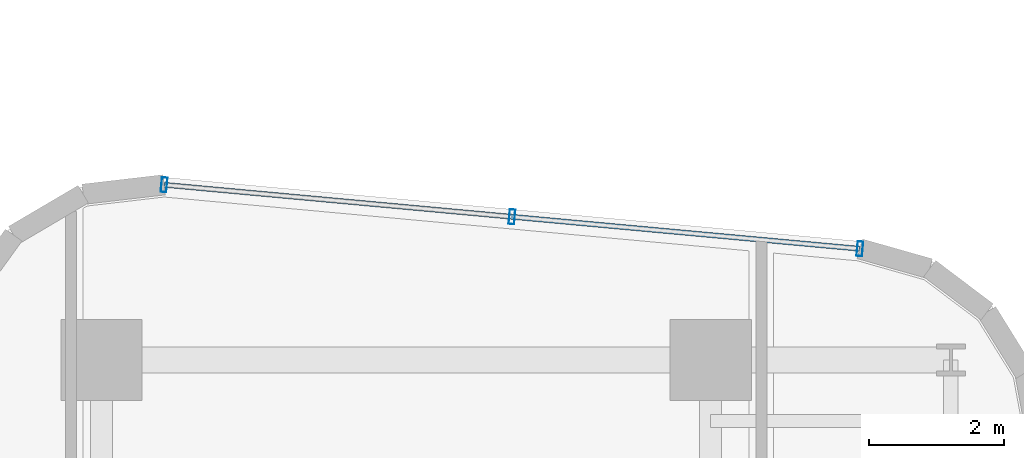
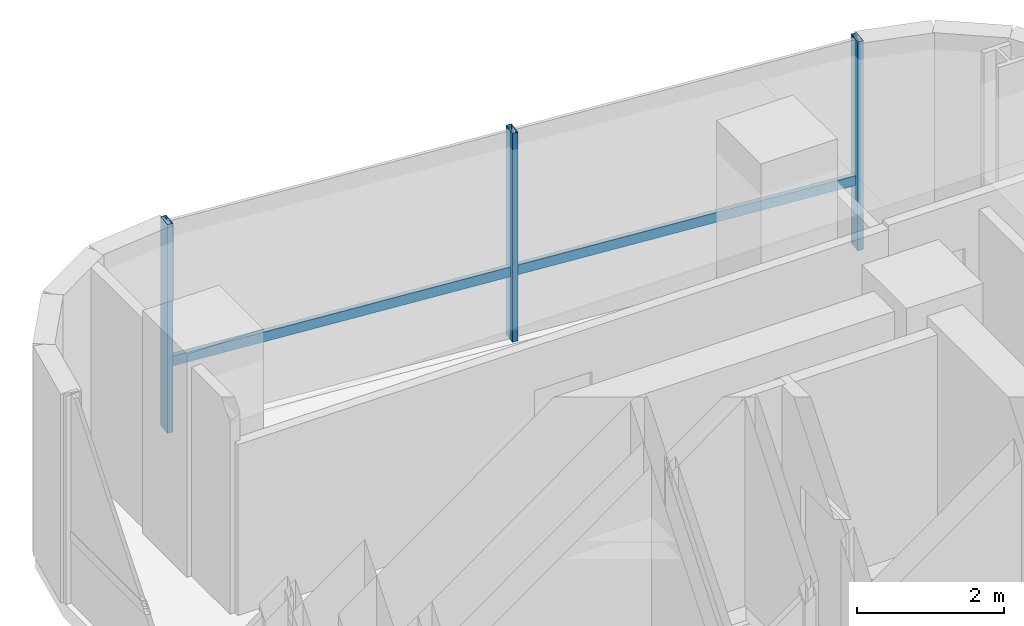
# One storey, part 23 of 34: 4 members, 1 element without a shape of its own.
"""IFC4 building model written with IfcOpenShell, lengths in metres."""

from ifc_helpers import new_model, si_unit, direction, frame, origin, origin_2d, place, context, subcontext, project, spatial, hollow_rectangle, extrude, source, transform, mapped, material, material_profile, profile_set, type_object, element, aggregate, save


model = new_model("IFC4")

# Units and contexts
model_context = context("Model", 3, precision=1e-05, world=origin(), true_north=direction((0.0, 1.0)))
body_context = subcontext(model_context, "Body", "Model", "MODEL_VIEW")
ifc_project = project(units=[si_unit("LENGTHUNIT", "METRE"), si_unit("AREAUNIT", "SQUARE_METRE"), si_unit("VOLUMEUNIT", "CUBIC_METRE"), si_unit("PLANEANGLEUNIT", "RADIAN"), si_unit("MASSUNIT", "GRAM", prefix="KILO")], contexts=[model_context])

# Site, building, storey
site_placement = place(None, origin())
site = spatial("IfcSite", under=ifc_project, at=site_placement, CompositionType="ELEMENT")
building_placement = place(site_placement, origin())
building = spatial("IfcBuilding", under=site, at=building_placement, Name="Valdorenza Pilgrim Sanctuary Tower", CompositionType="ELEMENT")
storey_placement = place(building_placement, frame((0.0, 0.0, 161.199951171875)))
storey = spatial("IfcBuildingStorey", under=building, at=storey_placement, Name="L41", CompositionType="ELEMENT", Elevation=161.199951171875)

# Curtain wall, members
ifc_material_1 = material(Name="Curtain-wall IGU glazing", Category="glass")
curtain_wall_type = type_object("IfcCurtainWallType", Name="CW-SYS-03", PredefinedType="NOTDEFINED", material=ifc_material_1)
curtain_wall_placement = place(storey_placement, origin())
curtain_wall = element("IfcCurtainWall", 1, at=curtain_wall_placement, inside=storey, type_object=curtain_wall_type, Name="L41 Curtain Wall CW-L41-2-6", PredefinedType="NOTDEFINED")
ifc_material_2 = material(Name="Anodised aluminium AW-6060", Category="aluminium")
ifc_material_profile_1 = material_profile(ifc_material_2, hollow_rectangle(XDim=0.0849609375, YDim=0.219970703125, WallThickness=0.0048828125, at=origin_2d()), Name="ALU-M 220x85x5")
ifc_profile_set_1 = profile_set([ifc_material_profile_1], Name="Anodised aluminium AW-6060")
member_type_1 = type_object("IfcMemberType", Name="CW-MUL-03", PredefinedType="MULLION", material=ifc_profile_set_1)
shared_shape_1 = source(origin(), body_context, "Body", "SweptSolid", [
    extrude(hollow_rectangle(XDim=0.0849609375, YDim=0.219970703125, WallThickness=0.0048828125, at=origin_2d()), origin(), (0.0, 0.0, 1.0), 3.4599609375),
])
member_1_placement = place(storey_placement, frame((16.776123046875, 16.087890625, 0.0), z_axis=(0.0, 0.0, 1.0), x_axis=(0.995793741111, -0.091623278503, 0.0)))
member_1 = element("IfcMember", 2, at=member_1_placement, type_object=member_type_1, Name="CW-L41-2-6 Mullion 1", PredefinedType="MULLION", context=body_context, shape_type="MappedRepresentation", body=[
    mapped(shared_shape_1, transform((0.0, 0.0, 0.0), x_axis=(1.0, 0.0, 0.0), y_axis=(0.0, 1.0, 0.0), z_axis=(0.0, 0.0, 1.0), scale=1.0)),
])
member_2_placement = place(storey_placement, frame((21.915283203125, 15.614990234375, 0.0), z_axis=(0.0, 0.0, 1.0), x_axis=(0.995793741111, -0.091623278503, 0.0)))
member_2 = element("IfcMember", 3, at=member_2_placement, type_object=member_type_1, Name="CW-L41-2-6 Mullion 2", PredefinedType="MULLION", context=body_context, shape_type="MappedRepresentation", body=[
    mapped(shared_shape_1, transform((0.0, 0.0, 0.0), x_axis=(1.0, 0.0, 0.0), y_axis=(0.0, 1.0, 0.0), z_axis=(0.0, 0.0, 1.0), scale=1.0)),
])
member_3_placement = place(storey_placement, frame((27.0546875, 15.14208984375, 0.0), z_axis=(0.0, 0.0, 1.0), x_axis=(0.995793741111, -0.091623278503, 0.0)))
member_3 = element("IfcMember", 4, at=member_3_placement, type_object=member_type_1, Name="CW-L41-2-6 Mullion 3", PredefinedType="MULLION", context=body_context, shape_type="MappedRepresentation", body=[
    mapped(shared_shape_1, transform((0.0, 0.0, 0.0), x_axis=(1.0, 0.0, 0.0), y_axis=(0.0, 1.0, 0.0), z_axis=(0.0, 0.0, 1.0), scale=1.0)),
])
ifc_material_profile_2 = material_profile(ifc_material_2, hollow_rectangle(XDim=0.074951171875, YDim=0.159912109375, WallThickness=0.00390625, at=origin_2d()), Name="ALU-T 160x75x4")
ifc_profile_set_2 = profile_set([ifc_material_profile_2], Name="Anodised aluminium AW-6060")
member_type_2 = type_object("IfcMemberType", Name="CW-TRN-03", PredefinedType="USERDEFINED", material=ifc_profile_set_2)
shared_shape_2 = source(origin(), body_context, "Body", "SweptSolid", [
    extrude(hollow_rectangle(XDim=0.074951171875, YDim=0.159912109375, WallThickness=0.00390625, at=origin_2d()), origin(), (0.0, 0.0, 1.0), 10.322021484375),
])
member_4_placement = place(storey_placement, frame((16.776123046875, 16.087890625, 1.1201171875), z_axis=(0.995793148807, -0.091629715648, 0.0), x_axis=(0.091629715648, 0.995793148807, 0.0)))
member_4 = element("IfcMember", 5, at=member_4_placement, type_object=member_type_2, Name="CW-L41-2-6 Transom 1", ObjectType="TRANSOM", PredefinedType="USERDEFINED", context=body_context, shape_type="MappedRepresentation", body=[
    mapped(shared_shape_2, transform((0.0, 0.0, 0.0), x_axis=(1.0, 0.0, 0.0), y_axis=(0.0, 1.0, 0.0), z_axis=(0.0, 0.0, 1.0), scale=1.0)),
])
aggregate(curtain_wall, [member_1, member_2, member_3, member_4])

save(model, "model.ifc")
